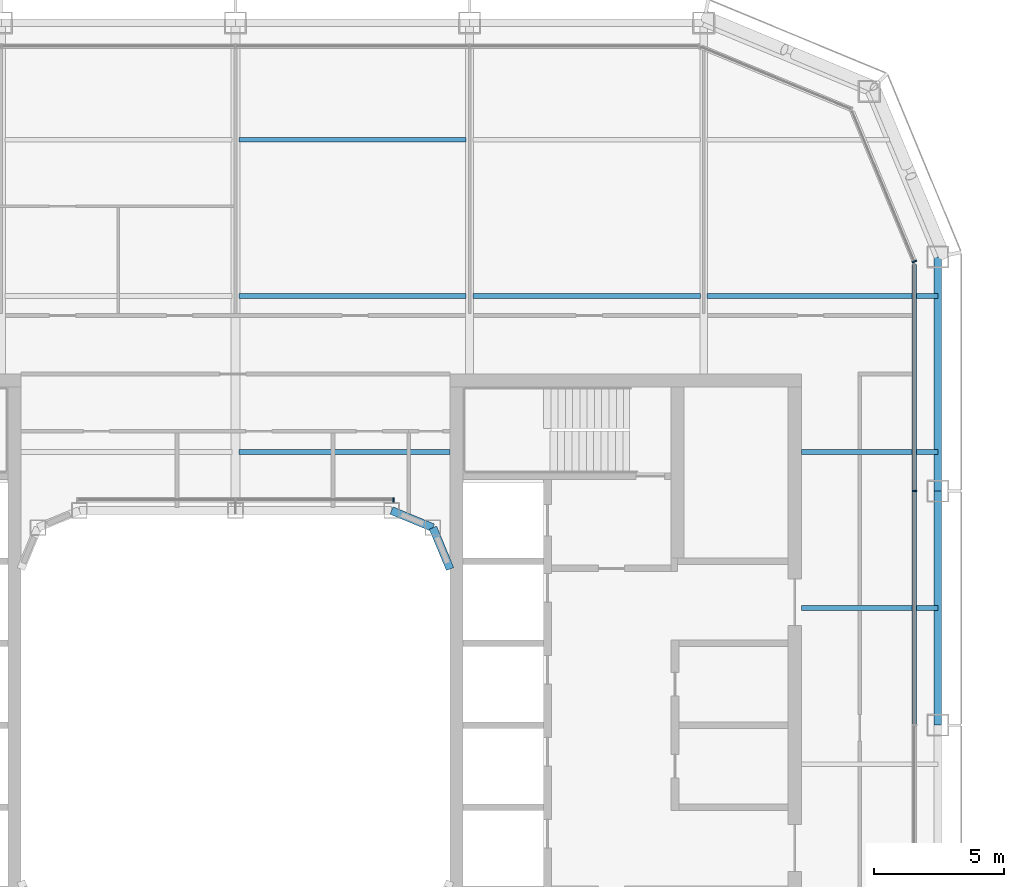
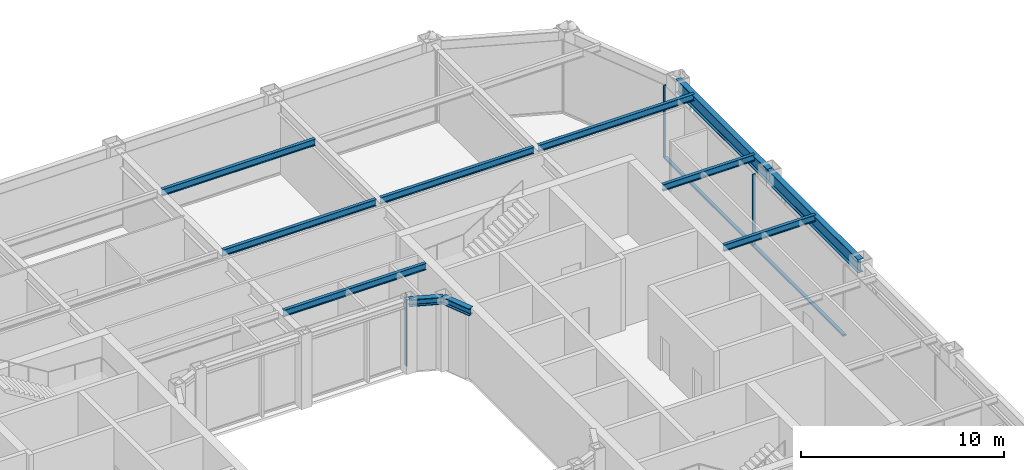
# One storey, part 9 of 22: 11 beams, 5 members, 3 elements without a shape of their own.
"""IFC4 building model written with IfcOpenShell, lengths in metres."""

from ifc_helpers import new_model, si_unit, direction, frame, origin, origin_2d, place, context, subcontext, project, spatial, rectangle, i_section, extrude, material, layer, layer_set, material_profile, profile_set, type_object, element, aggregate, save


model = new_model("IFC4")

# Units and contexts
model_context = context("Model", 3, precision=1e-05, world=origin(), true_north=direction((0.0, 1.0)))
body_context = subcontext(model_context, "Body", "Model", "MODEL_VIEW")
ifc_project = project(units=[si_unit("LENGTHUNIT", "METRE"), si_unit("AREAUNIT", "SQUARE_METRE"), si_unit("VOLUMEUNIT", "CUBIC_METRE"), si_unit("PLANEANGLEUNIT", "RADIAN"), si_unit("MASSUNIT", "GRAM", prefix="KILO")], contexts=[model_context])

# Site, building, storey
site_placement = place(None, origin())
site = spatial("IfcSite", under=ifc_project, at=site_placement, CompositionType="ELEMENT")
building_placement = place(site_placement, origin())
building = spatial("IfcBuilding", under=site, at=building_placement, Name="Siwar Civic Tower", CompositionType="ELEMENT")
storey_placement = place(building_placement, frame((0.0, 0.0, 219.699951171875)))
storey = spatial("IfcBuildingStorey", under=building, at=storey_placement, Name="L47", CompositionType="ELEMENT", Elevation=219.699951171875)

# Curtain wall, member
ifc_material_1 = material(Name="Aluminium and glass", Category="aluminium")
ifc_layer_1 = layer(ifc_material_1, 0.179931640625)
ifc_layer_set_1 = layer_set([ifc_layer_1], Name="Aluminium and glass")
curtain_wall_type_1 = type_object("IfcCurtainWallType", Name="ENV-CW-C", PredefinedType="NOTDEFINED", material=ifc_layer_set_1)
curtain_wall_1_placement = place(storey_placement, origin())
curtain_wall_1 = element("IfcCurtainWall", 1, at=curtain_wall_1_placement, inside=storey, type_object=curtain_wall_type_1, Name="Curtain wall C E", PredefinedType="NOTDEFINED")
ifc_material_2 = material(Name="Aluminium 6063-T6", Category="aluminium")
ifc_material_profile_1 = material_profile(ifc_material_2, rectangle(XDim=0.179931640625, YDim=0.06005859375, at=origin_2d()), Name="AL 180x60")
ifc_profile_set_1 = profile_set([ifc_material_profile_1], Name="Aluminium 6063-T6")
member_type_1 = type_object("IfcMemberType", Name="ENV-MULLION-C", PredefinedType="MULLION", material=ifc_profile_set_1)
member_1_placement = place(storey_placement, frame((26.10009765625, 9.0, 0.0), z_axis=(0.0, 0.0, 1.0), x_axis=(-1.0, 0.0, 0.0)))
member_1 = element("IfcMember", 2, at=member_1_placement, type_object=member_type_1, Name="Mullion C E 4", PredefinedType="MULLION", context=body_context, shape_type="SweptSolid", body=[
    extrude(rectangle(XDim=0.179931640625, YDim=0.06005859375, at=origin_2d()), origin(), (0.0, 0.0, 1.0), 4.35009765625),
])

ifc_material_3 = material(Name="Aluminium clad insulated panel", Category="aluminium")
ifc_layer_2 = layer(ifc_material_3, 0.179931640625)
ifc_layer_set_2 = layer_set([ifc_layer_2], Name="Aluminium clad insulated panel")
curtain_wall_type_2 = type_object("IfcCurtainWallType", Name="ENV-CW-CX", PredefinedType="NOTDEFINED", material=ifc_layer_set_2)
curtain_wall_2_placement = place(storey_placement, origin())
curtain_wall_2 = element("IfcCurtainWall", 3, at=curtain_wall_2_placement, inside=storey, type_object=curtain_wall_type_2, Name="Curtain wall C NE1", PredefinedType="NOTDEFINED")
member_2_placement = place(storey_placement, frame((26.10009765625, 17.821044921875, 0.0), z_axis=(0.0, 0.0, 1.0), x_axis=(-0.923879532511, -0.382683432365, 0.0)))
member_2 = element("IfcMember", 4, at=member_2_placement, type_object=member_type_1, Name="Mullion C NE1 1", PredefinedType="MULLION", context=body_context, shape_type="SweptSolid", body=[
    extrude(rectangle(XDim=0.179931640625, YDim=0.06005859375, at=origin_2d()), origin(), (0.0, 0.0, 1.0), 4.35009765625),
])
aggregate(curtain_wall_2, [member_2])

ifc_material_4 = material(Name="Aluminium and glass", Category="aluminium")
ifc_layer_3 = layer(ifc_material_4, 0.179931640625)
ifc_layer_set_3 = layer_set([ifc_layer_3], Name="Aluminium and glass")
curtain_wall_type_3 = type_object("IfcCurtainWallType", Name="ENV-CW-W", PredefinedType="NOTDEFINED", material=ifc_layer_set_3)
curtain_wall_3_placement = place(storey_placement, origin())
curtain_wall_3 = element("IfcCurtainWall", 5, at=curtain_wall_3_placement, inside=storey, type_object=curtain_wall_type_3, Name="Curtain wall W WN", PredefinedType="NOTDEFINED")
ifc_material_5 = material(Name="Aluminium 6063-T6", Category="aluminium")
ifc_material_profile_2 = material_profile(ifc_material_5, rectangle(XDim=0.179931640625, YDim=0.06005859375, at=origin_2d()), Name="AL 180x60")
ifc_profile_set_2 = profile_set([ifc_material_profile_2], Name="Aluminium 6063-T6")
member_type_2 = type_object("IfcMemberType", Name="ENV-MULLION-W", PredefinedType="MULLION", material=ifc_profile_set_2)
member_3_placement = place(storey_placement, frame((6.08154296875, 8.659912109375, 0.0), z_axis=(0.0, 0.0, 1.0), x_axis=(0.0, -1.0, 0.0)))
member_3 = element("IfcMember", 6, at=member_3_placement, type_object=member_type_2, Name="Mullion W WN 1", PredefinedType="MULLION", context=body_context, shape_type="SweptSolid", body=[
    extrude(rectangle(XDim=0.179931640625, YDim=0.06005859375, at=origin_2d()), origin(), (0.0, 0.0, 1.0), 4.35009765625),
])
aggregate(curtain_wall_3, [member_3])

# Member
ifc_material_6 = material(Name="Aluminium 6063-T6", Category="aluminium")
ifc_material_profile_3 = material_profile(ifc_material_6, rectangle(XDim=0.179931640625, YDim=0.10009765625, at=origin_2d()), Name="AL 180x100")
ifc_profile_set_3 = profile_set([ifc_material_profile_3], Name="Aluminium 6063-T6")
member_type_3 = type_object("IfcMemberType", Name="ENV-TRANSOM-C", PredefinedType="USERDEFINED", material=ifc_profile_set_3)
member_4_placement = place(storey_placement, frame((26.10009765625, 0.030029296875, 0.050048828125), z_axis=(0.0, 1.0, 0.0), x_axis=(-1.0, 0.0, 0.0)))
member_4 = element("IfcMember", 7, at=member_4_placement, type_object=member_type_3, Name="Transom C E 3", ObjectType="TRANSOM", PredefinedType="USERDEFINED", context=body_context, shape_type="SweptSolid", body=[
    extrude(rectangle(XDim=0.179931640625, YDim=0.10009765625, at=origin_2d()), origin(), (0.0, 0.0, 1.0), 8.93994140625),
])

member_5_placement = place(storey_placement, frame((26.10009765625, 9.030029296875, 0.050048828125), z_axis=(0.0, 1.0, 0.0), x_axis=(-1.0, 0.0, 0.0)))
member_5 = element("IfcMember", 8, at=member_5_placement, type_object=member_type_3, Name="Transom C E 4", ObjectType="TRANSOM", PredefinedType="USERDEFINED", context=body_context, shape_type="SweptSolid", body=[
    extrude(rectangle(XDim=0.179931640625, YDim=0.10009765625, at=origin_2d()), origin(), (0.0, 0.0, 1.0), 8.68603515625),
])

aggregate(curtain_wall_1, [member_1, member_4, member_5])

# Beams
ifc_material_7 = material(Name="Steel S355", Category="steel")
ifc_material_profile_4 = material_profile(ifc_material_7, i_section(OverallWidth=0.179931640625, OverallDepth=0.39990234375, WebThickness=0.008544921875, FlangeThickness=0.013427734375, FilletRadius=0.02099609375, at=origin_2d()), Name="IPE400")
ifc_profile_set_4 = profile_set([ifc_material_profile_4], Name="Steel S355")
beam_type_1 = type_object("IfcBeamType", Name="STR-FB-IPE400", PredefinedType="JOIST", material=ifc_profile_set_4)
beam_1_placement = place(storey_placement, frame((21.75, 4.5, 4.150146484375), z_axis=(1.0, 0.0, 0.0), x_axis=(0.0, 1.0, 0.0)))
element("IfcBeam", 9, at=beam_1_placement, inside=storey, type_object=beam_type_1, Name="L47/bm/F026", PredefinedType="JOIST", context=body_context, shape_type="SweptSolid", body=[
    extrude(i_section(OverallWidth=0.179931640625, OverallDepth=0.39990234375, WebThickness=0.008544921875, FlangeThickness=0.013427734375, FilletRadius=0.02099609375, at=origin_2d()), origin(), (0.0, 0.0, 1.0), 5.25),
])
beam_2_placement = place(storey_placement, frame((0.1298828125, 10.5, 4.150146484375), z_axis=(1.0, 0.0, 0.0), x_axis=(0.0, 1.0, 0.0)))
element("IfcBeam", 10, at=beam_2_placement, inside=storey, type_object=beam_type_1, Name="L47/bm/F029", PredefinedType="JOIST", context=body_context, shape_type="SweptSolid", body=[
    extrude(i_section(OverallWidth=0.179931640625, OverallDepth=0.39990234375, WebThickness=0.008544921875, FlangeThickness=0.013427734375, FilletRadius=0.02099609375, at=origin_2d()), origin(), (0.0, 0.0, 1.0), 8.1201171875),
])
beam_3_placement = place(storey_placement, frame((21.75, 10.5, 4.150146484375), z_axis=(1.0, 0.0, 0.0), x_axis=(0.0, 1.0, 0.0)))
element("IfcBeam", 11, at=beam_3_placement, inside=storey, type_object=beam_type_1, Name="L47/bm/F030", PredefinedType="JOIST", context=body_context, shape_type="SweptSolid", body=[
    extrude(i_section(OverallWidth=0.179931640625, OverallDepth=0.39990234375, WebThickness=0.008544921875, FlangeThickness=0.013427734375, FilletRadius=0.02099609375, at=origin_2d()), origin(), (0.0, 0.0, 1.0), 5.25),
])
for number, where, z_axis, x_axis, name in (
    (12, (0.1298828125, 16.5, 4.150146484375), (1.0, 0.0, 0.0), (0.0, 1.0, 0.0), "L47/bm/F034"),
    (13, (9.1298828125, 16.5, 4.150146484375), (1.0, 0.0, 0.0), (0.0, 1.0, 0.0), "L47/bm/F035"),
):
    element("IfcBeam", number, at=place(storey_placement, frame(where, z_axis=z_axis, x_axis=x_axis)), inside=storey, type_object=beam_type_1, Name=name, PredefinedType="JOIST", context=body_context, shape_type="SweptSolid", body=[
        extrude(i_section(OverallWidth=0.179931640625, OverallDepth=0.39990234375, WebThickness=0.008544921875, FlangeThickness=0.013427734375, FilletRadius=0.02099609375, at=origin_2d()), origin(), (0.0, 0.0, 1.0), 8.740234375),
    ])
beam_4_placement = place(storey_placement, frame((18.1298828125, 16.5, 4.150146484375), z_axis=(1.0, 0.0, 0.0), x_axis=(0.0, 1.0, 0.0)))
element("IfcBeam", 14, at=beam_4_placement, inside=storey, type_object=beam_type_1, Name="L47/bm/F036", PredefinedType="JOIST", context=body_context, shape_type="SweptSolid", body=[
    extrude(i_section(OverallWidth=0.179931640625, OverallDepth=0.39990234375, WebThickness=0.008544921875, FlangeThickness=0.013427734375, FilletRadius=0.02099609375, at=origin_2d()), origin(), (0.0, 0.0, 1.0), 8.8701171875),
])
beam_5_placement = place(storey_placement, frame((0.1298828125, 22.5, 4.150146484375), z_axis=(1.0, 0.0, 0.0), x_axis=(0.0, 1.0, 0.0)))
element("IfcBeam", 15, at=beam_5_placement, inside=storey, type_object=beam_type_1, Name="L47/bm/F040", PredefinedType="JOIST", context=body_context, shape_type="SweptSolid", body=[
    extrude(i_section(OverallWidth=0.179931640625, OverallDepth=0.39990234375, WebThickness=0.008544921875, FlangeThickness=0.013427734375, FilletRadius=0.02099609375, at=origin_2d()), origin(), (0.0, 0.0, 1.0), 8.740234375),
])
ifc_material_8 = material(Name="Steel S355", Category="steel")
ifc_material_profile_5 = material_profile(ifc_material_8, i_section(OverallWidth=0.306884765625, OverallDepth=0.431884765625, WebThickness=0.02099609375, FlangeThickness=0.0400390625, FilletRadius=0.027099609375, at=origin_2d()), Name="HEM400")
ifc_profile_set_5 = profile_set([ifc_material_profile_5], Name="Steel S355")
beam_type_2 = type_object("IfcBeamType", Name="STR-RB-HEM400", PredefinedType="BEAM", material=ifc_profile_set_5)
for number, where, z_axis, x_axis, name in (
    (16, (6.0, 8.25, 4.134033203125), (0.923901072997, -0.382631424892, 0.0), (0.382631424892, 0.923901072997, 0.0), "L47/bm/RN3"),
    (17, (7.591064453125, 7.591064453125, 4.134033203125), (0.382631424892, -0.923901072997, 0.0), (0.923901072997, 0.382631424892, 0.0), "L47/bm/RNEE"),
):
    element("IfcBeam", number, at=place(storey_placement, frame(where, z_axis=z_axis, x_axis=x_axis)), inside=storey, type_object=beam_type_2, Name=name, PredefinedType="BEAM", context=body_context, shape_type="SweptSolid", body=[
        extrude(i_section(OverallWidth=0.306884765625, OverallDepth=0.431884765625, WebThickness=0.02099609375, FlangeThickness=0.0400390625, FilletRadius=0.027099609375, at=origin_2d()), origin(), (0.0, 0.0, 1.0), 1.72216796875),
    ])
ifc_material_9 = material(Name="Steel S355", Category="steel")
ifc_material_profile_6 = material_profile(ifc_material_9, i_section(OverallWidth=0.300048828125, OverallDepth=0.800048828125, WebThickness=0.017578125, FlangeThickness=0.032958984375, FilletRadius=0.030029296875, at=origin_2d()), Name="HEB800")
ifc_profile_set_6 = profile_set([ifc_material_profile_6], Name="Steel S355")
beam_type_3 = type_object("IfcBeamType", Name="STR-SB-HEB800", PredefinedType="BEAM", material=ifc_profile_set_6)
for number, where, z_axis, x_axis, name in (
    (18, (27.0, 0.0, 3.949951171875), (0.0, 1.0, 0.0), (-1.0, 0.0, 0.0), "L47/bm/SE-2"),
    (19, (27.0, 9.0, 3.949951171875), (0.0, 1.0, 0.0), (-1.0, 0.0, 0.0), "L47/bm/SE-3"),
):
    element("IfcBeam", number, at=place(storey_placement, frame(where, z_axis=z_axis, x_axis=x_axis)), inside=storey, type_object=beam_type_3, Name=name, PredefinedType="BEAM", context=body_context, shape_type="SweptSolid", body=[
        extrude(i_section(OverallWidth=0.300048828125, OverallDepth=0.800048828125, WebThickness=0.017578125, FlangeThickness=0.032958984375, FilletRadius=0.030029296875, at=origin_2d()), origin(), (0.0, 0.0, 1.0), 9.0),
    ])

save(model, "model.ifc")
